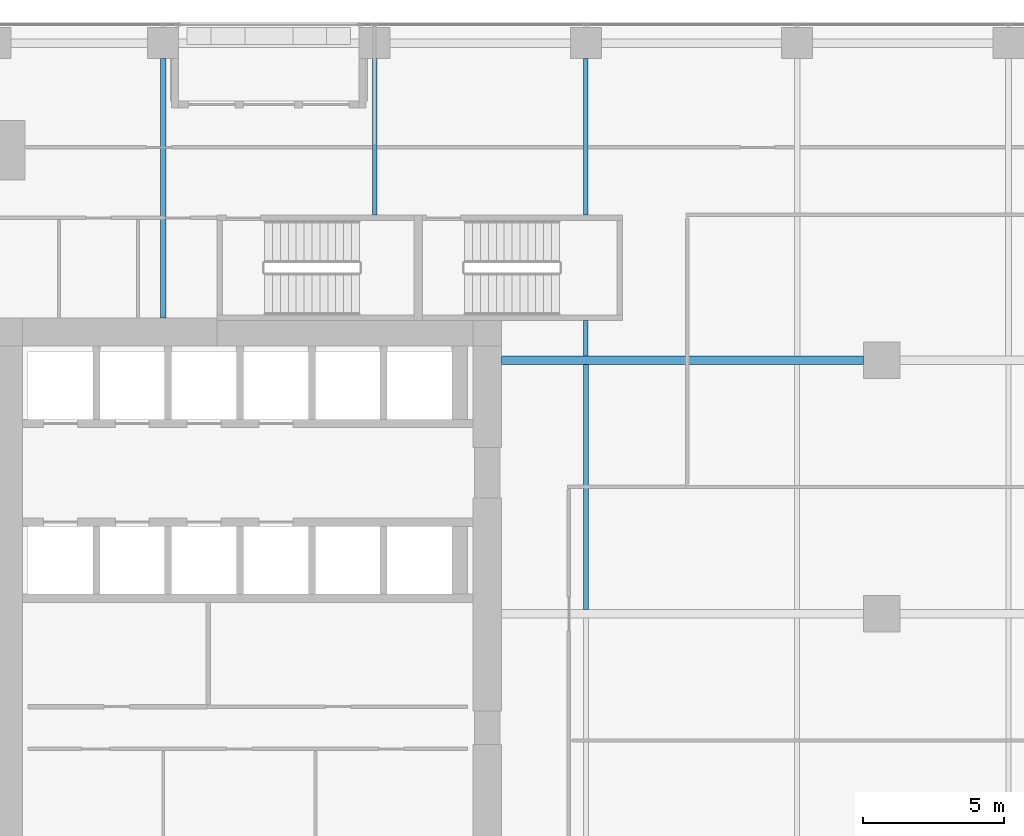
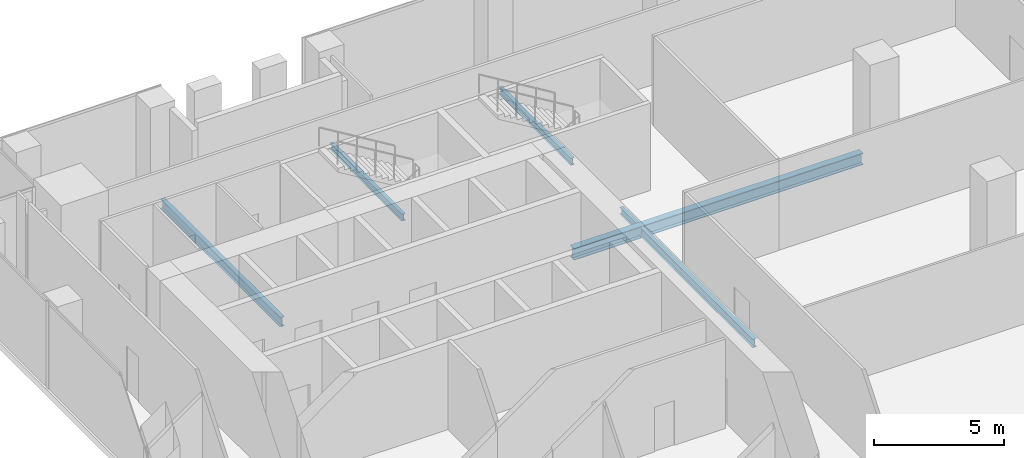
# One storey, part 15 of 34: 6 beams.
"""IFC4 building model written with IfcOpenShell, lengths in metres."""

from ifc_helpers import new_model, si_unit, direction, frame, origin, origin_2d, place, context, subcontext, project, spatial, i_section, extrude, source, transform, mapped, material, material_profile, profile_set, type_object, element, save


model = new_model("IFC4")

# Units and contexts
model_context = context("Model", 3, precision=1e-05, world=origin(), true_north=direction((0.0, 1.0)))
body_context = subcontext(model_context, "Body", "Model", "MODEL_VIEW")
ifc_project = project(units=[si_unit("LENGTHUNIT", "METRE"), si_unit("AREAUNIT", "SQUARE_METRE"), si_unit("VOLUMEUNIT", "CUBIC_METRE"), si_unit("PLANEANGLEUNIT", "RADIAN"), si_unit("MASSUNIT", "GRAM", prefix="KILO")], contexts=[model_context])

# Site, building, storey
site_placement = place(None, origin())
site = spatial("IfcSite", under=ifc_project, at=site_placement, CompositionType="ELEMENT")
building_placement = place(site_placement, origin())
building = spatial("IfcBuilding", under=site, at=building_placement, Name="Khomas Fold Tower", CompositionType="ELEMENT")
storey_placement = place(building_placement, frame((0.0, 0.0, 105.89990234375)))
storey = spatial("IfcBuildingStorey", under=building, at=storey_placement, Name="L22", CompositionType="ELEMENT", Elevation=105.89990234375)

# Beams
ifc_material_1 = material(Name="Steel S355", Category="steel")
ifc_material_profile_1 = material_profile(ifc_material_1, i_section(OverallWidth=0.179931640625, OverallDepth=0.39990234375, WebThickness=0.008544921875, FlangeThickness=0.013427734375, at=origin_2d()), Name="IPE 400")
ifc_profile_set_1 = profile_set([ifc_material_profile_1], Name="Steel S355")
beam_type_1 = type_object("IfcBeamType", Name="IPE 400 beam JB3", PredefinedType="BEAM", material=ifc_profile_set_1)
shared_shape_1 = source(origin(), body_context, "Body", "SweptSolid", [
    extrude(i_section(OverallWidth=0.179931640625, OverallDepth=0.39990234375, WebThickness=0.008544921875, FlangeThickness=0.013427734375, at=origin_2d()), origin(), (0.0, 0.0, 1.0), 8.7001953125),
])
beam_1_placement = place(storey_placement, frame((27.0, 31.64990234375, -0.5), z_axis=(0.0, 1.0, 0.0), x_axis=(-1.0, 0.0, 0.0)))
element("IfcBeam", 1, at=beam_1_placement, inside=storey, type_object=beam_type_1, Name="JB3", PredefinedType="BEAM", context=body_context, shape_type="MappedRepresentation", body=[
    mapped(shared_shape_1, transform((0.0, 0.0, 0.0))),
])
ifc_material_2 = material(Name="Steel S355", Category="steel")
ifc_material_profile_2 = material_profile(ifc_material_2, i_section(OverallWidth=0.159912109375, OverallDepth=0.330078125, WebThickness=0.007568359375, FlangeThickness=0.011474609375, at=origin_2d()), Name="IPE 330")
ifc_profile_set_2 = profile_set([ifc_material_profile_2], Name="Steel S355")
beam_type_2 = type_object("IfcBeamType", Name="IPE 330 beam JB1", PredefinedType="BEAM", material=ifc_profile_set_2)
shared_shape_2 = source(origin(), body_context, "Body", "SweptSolid", [
    extrude(i_section(OverallWidth=0.159912109375, OverallDepth=0.330078125, WebThickness=0.007568359375, FlangeThickness=0.011474609375, at=origin_2d()), origin(), (0.0, 0.0, 1.0), 1.25),
])
beam_2_placement = place(storey_placement, frame((27.0, 40.64990234375, -0.46484375), z_axis=(0.0, 1.0, 0.0), x_axis=(-1.0, 0.0, 0.0)))
element("IfcBeam", 2, at=beam_2_placement, inside=storey, type_object=beam_type_2, Name="JB1", PredefinedType="BEAM", context=body_context, shape_type="MappedRepresentation", body=[
    mapped(shared_shape_2, transform((0.0, 0.0, 0.0))),
])
ifc_material_3 = material(Name="Steel S355", Category="steel")
ifc_material_profile_3 = material_profile(ifc_material_3, i_section(OverallWidth=0.300048828125, OverallDepth=0.550048828125, WebThickness=0.014892578125, FlangeThickness=0.029052734375, at=origin_2d()), Name="HE 550 B")
ifc_profile_set_3 = profile_set([ifc_material_profile_3], Name="Steel S355")
beam_type_3 = type_object("IfcBeamType", Name="HE 550 B beam GB4", PredefinedType="BEAM", material=ifc_profile_set_3)
shared_shape_3 = source(origin(), body_context, "Body", "SweptSolid", [
    extrude(i_section(OverallWidth=0.300048828125, OverallDepth=0.550048828125, WebThickness=0.014892578125, FlangeThickness=0.029052734375, at=origin_2d()), origin(), (0.0, 0.0, 1.0), 12.85009765625),
])
beam_3_placement = place(storey_placement, frame((24.0, 40.5, -0.574951171875), z_axis=(1.0, 0.0, 0.0), x_axis=(0.0, 1.0, 0.0)))
element("IfcBeam", 3, at=beam_3_placement, inside=storey, type_object=beam_type_3, Name="GB4", PredefinedType="BEAM", context=body_context, shape_type="MappedRepresentation", body=[
    mapped(shared_shape_3, transform((0.0, 0.0, 0.0))),
])
ifc_material_4 = material(Name="Steel S355", Category="steel")
ifc_material_profile_4 = material_profile(ifc_material_4, i_section(OverallWidth=0.18994140625, OverallDepth=0.449951171875, WebThickness=0.009521484375, FlangeThickness=0.0146484375, at=origin_2d()), Name="IPE 450")
ifc_profile_set_4 = profile_set([ifc_material_profile_4], Name="Steel S355")
beam_type_4 = type_object("IfcBeamType", Name="IPE 450 beam JB4", PredefinedType="BEAM", material=ifc_profile_set_4)
shared_shape_4 = source(origin(), body_context, "Body", "SweptSolid", [
    extrude(i_section(OverallWidth=0.18994140625, OverallDepth=0.449951171875, WebThickness=0.009521484375, FlangeThickness=0.0146484375, at=origin_2d()), origin(), (0.0, 0.0, 1.0), 9.199951171875),
])
beam_4_placement = place(storey_placement, frame((12.0, 42.0, -0.52490234375), z_axis=(0.0, 1.0, 0.0), x_axis=(-1.0, 0.0, 0.0)))
element("IfcBeam", 4, at=beam_4_placement, inside=storey, type_object=beam_type_4, Name="JB4", PredefinedType="BEAM", context=body_context, shape_type="MappedRepresentation", body=[
    mapped(shared_shape_4, transform((0.0, 0.0, 0.0))),
])
shared_shape_5 = source(origin(), body_context, "Body", "SweptSolid", [
    extrude(i_section(OverallWidth=0.159912109375, OverallDepth=0.330078125, WebThickness=0.007568359375, FlangeThickness=0.011474609375, at=origin_2d()), origin(), (0.0, 0.0, 1.0), 5.550048828125),
])
for number, where, z_axis, x_axis, name in (
    (5, (19.5, 45.64990234375, -0.46484375), (0.0, 1.0, 0.0), (-1.0, 0.0, 0.0), "JB1"),
    (6, (27.0, 45.64990234375, -0.46484375), (0.0, 1.0, 0.0), (-1.0, 0.0, 0.0), "JB1"),
):
    element("IfcBeam", number, at=place(storey_placement, frame(where, z_axis=z_axis, x_axis=x_axis)), inside=storey, type_object=beam_type_2, Name=name, PredefinedType="BEAM", context=body_context, shape_type="MappedRepresentation", body=[
        mapped(shared_shape_5, transform((0.0, 0.0, 0.0))),
    ])

save(model, "model.ifc")
